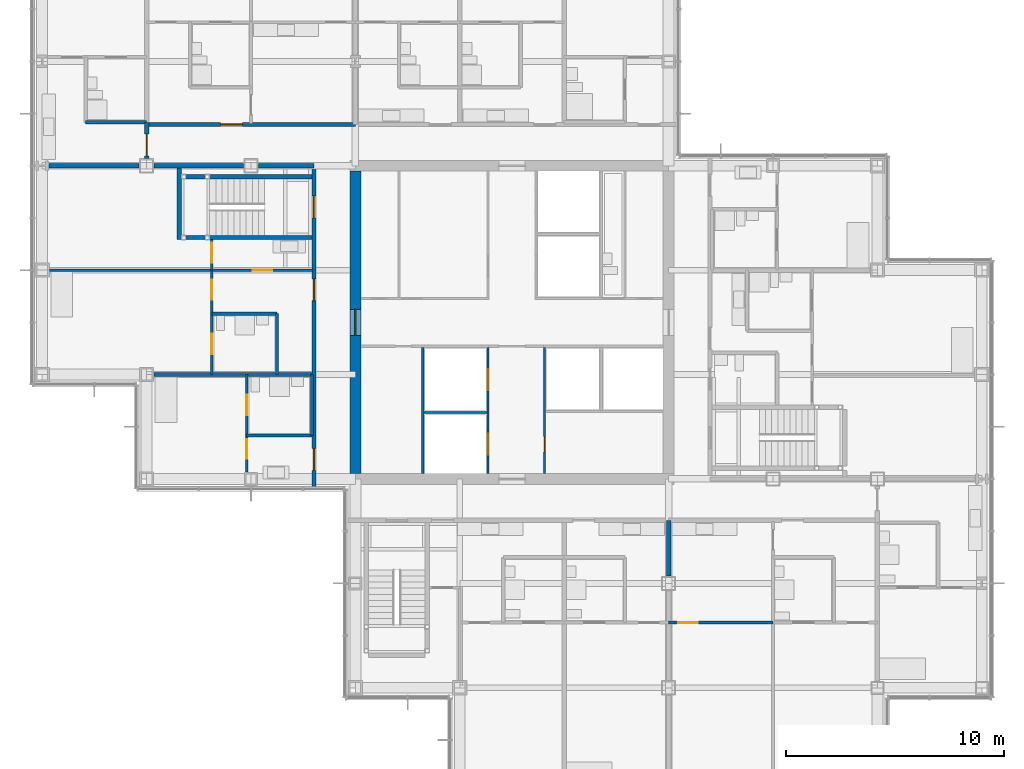
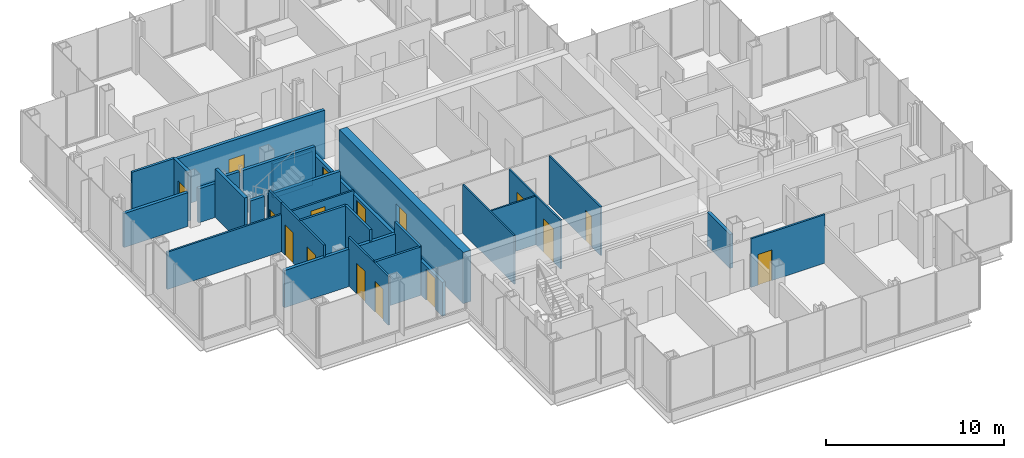
# One storey, part 13 of 19: 29 walls, 16 doors, 16 openings.
"""IFC4 building model written with IfcOpenShell, lengths in metres."""

from ifc_helpers import new_model, si_unit, direction, frame, frame_2d, origin, place, context, subcontext, project, spatial, rectangle, extrude, material, layer, layer_set, type_object, element, fill, save


model = new_model("IFC4")

# Units and contexts
model_context = context("Model", 3, precision=1e-05, world=origin(), true_north=direction((0.0, 1.0)))
body_context = subcontext(model_context, "Body", "Model", "MODEL_VIEW")
ifc_project = project(units=[si_unit("LENGTHUNIT", "METRE"), si_unit("AREAUNIT", "SQUARE_METRE"), si_unit("VOLUMEUNIT", "CUBIC_METRE"), si_unit("PLANEANGLEUNIT", "RADIAN"), si_unit("MASSUNIT", "GRAM", prefix="KILO")], contexts=[model_context])

# Site, building, storey
site_placement = place(None, origin())
site = spatial("IfcSite", under=ifc_project, at=site_placement, CompositionType="ELEMENT")
building_placement = place(site_placement, origin())
building = spatial("IfcBuilding", under=site, at=building_placement, Name="Kvirike Care Tower", CompositionType="ELEMENT")
storey_placement = place(building_placement, frame((0.0, 0.0, 98.0)))
storey = spatial("IfcBuildingStorey", under=building, at=storey_placement, Name="L26", CompositionType="ELEMENT", Elevation=98.0)

# Walls
ifc_material_1 = material(Name="Moisture-resistant board partition", Category="gypsum")
ifc_layer_1 = layer(ifc_material_1, 0.14990234375)
ifc_layer_set_1 = layer_set([ifc_layer_1], Name="BATHROOM WALL 150")
wall_type_1 = type_object("IfcWallType", Name="BATHROOM WALL 150", PredefinedType="PARTITIONING", material=ifc_layer_set_1)
wall_1_placement = place(storey_placement, frame((7.800048828125, 36.39990234375, 0.0), z_axis=(0.0, 0.0, 1.0), x_axis=(1.0, 0.0, 0.0)))
element("IfcWall", 1, at=wall_1_placement, inside=storey, type_object=wall_type_1, Name="Bathroom Wall 150 L26", PredefinedType="PARTITIONING", context=body_context, shape_type="SweptSolid", body=[
    extrude(rectangle(XDim=3.0, YDim=0.14990234375, at=frame_2d((1.5, 0.0))), origin(), (0.0, 0.0, 1.0), 3.330078125),
])
wall_2_placement = place(storey_placement, frame((10.800048828125, 36.39990234375, 0.0), z_axis=(0.0, 0.0, 1.0), x_axis=(0.0, -1.0, 0.0)))
element("IfcWall", 2, at=wall_2_placement, inside=storey, type_object=wall_type_1, Name="Bathroom Wall 150 L26", PredefinedType="PARTITIONING", context=body_context, shape_type="SweptSolid", body=[
    extrude(rectangle(XDim=2.7998046875, YDim=0.14990234375, at=frame_2d((1.39990234375, 0.0))), origin(), (0.0, 0.0, 1.0), 3.330078125),
])
wall_3_placement = place(storey_placement, frame((9.39990234375, 30.800048828125, 0.0), z_axis=(0.0, 0.0, 1.0), x_axis=(1.0, 0.0, 0.0)))
element("IfcWall", 3, at=wall_3_placement, inside=storey, type_object=wall_type_1, Name="Bathroom Wall 150 L26", PredefinedType="PARTITIONING", context=body_context, shape_type="SweptSolid", body=[
    extrude(rectangle(XDim=3.0, YDim=0.14990234375, at=frame_2d((1.5, 0.0))), origin(), (0.0, 0.0, 1.0), 3.330078125),
])
for number, where, z_axis, x_axis, name in (
    (4, (12.39990234375, 33.60009765625, 0.0), (0.0, 0.0, 1.0), (0.0, -1.0, 0.0), "Bathroom Wall 150 L26"),
    (5, (4.800048828125, 45.199951171875, 0.0), (0.0, 0.0, 1.0), (-1.0, 0.0, 0.0), "Bathroom Wall 150 L26"),
):
    element("IfcWall", number, at=place(storey_placement, frame(where, z_axis=z_axis, x_axis=x_axis)), inside=storey, type_object=wall_type_1, Name=name, PredefinedType="PARTITIONING", context=body_context, shape_type="SweptSolid", body=[
        extrude(rectangle(XDim=2.800048828125, YDim=0.14990234375, at=frame_2d((1.39990234375, 0.0))), origin(), (0.0, 0.0, 1.0), 3.330078125),
    ])

# Wall, opening, door
ifc_material_2 = material(Name="Concrete C50/60", Category="concrete")
ifc_layer_2 = layer(ifc_material_2, 0.5)
ifc_layer_set_2 = layer_set([ifc_layer_2], Name="CORE WALL 500 C50-60")
wall_type_2 = type_object("IfcWallType", Name="CORE WALL 500 C50-60", PredefinedType="SHEAR", material=ifc_layer_set_2)
wall_4_placement = place(storey_placement, frame((14.39990234375, 42.949951171875, -0.169921875), z_axis=(0.0, 0.0, 1.0), x_axis=(0.0, -1.0, 0.0)))
wall_4 = element("IfcWall", 6, at=wall_4_placement, inside=storey, type_object=wall_type_2, Name="Core wall W L26", PredefinedType="SHEAR", context=body_context, shape_type="SweptSolid", body=[
    extrude(rectangle(XDim=13.89990234375, YDim=0.5, at=frame_2d((6.949951171875, 0.0))), origin(), (0.0, 0.0, 1.0), 3.5),
])
opening_1_placement = place(wall_4_placement, frame((6.35009765625, 0.0, 0.169921875)))
opening_1 = element("IfcOpeningElement", 7, at=opening_1_placement, cuts=wall_4, Name="Opening 26-065", PredefinedType="OPENING", context=body_context, shape_type="SweptSolid", body=[
    extrude(rectangle(XDim=1.199951171875, YDim=2.10009765625, at=frame_2d((0.60009765625, 1.050048828125))), frame((0.0, 0.260498046875, 0.0), z_axis=(0.0, -1.0, 0.0), x_axis=(1.0, 0.0, 0.0)), (0.0, 0.0, 1.0), 0.52099609375),
])
ifc_material_3 = material(Name="Timber door set", Category="wood")
door_type_1 = type_object("IfcDoorType", Name="CORE DOOR 1200", OperationType="SINGLE_SWING_LEFT", PredefinedType="DOOR", material=ifc_material_3)
door_1_placement = place(opening_1_placement, origin())
door_1 = element("IfcDoor", 8, at=door_1_placement, inside=storey, type_object=door_type_1, Name="Core door W L26", OperationType="SINGLE_SWING_LEFT", OverallHeight=2.10009765625, OverallWidth=1.199951171875, PredefinedType="DOOR", context=body_context, shape_type="SweptSolid", body=[
    extrude(rectangle(XDim=1.199951171875, YDim=2.10009765625, at=frame_2d((0.60009765625, 1.050048828125))), frame((0.0, 0.02685546875, 0.0), z_axis=(0.0, -1.0, 0.0), x_axis=(1.0, 0.0, 0.0)), (0.0, 0.0, 1.0), 0.053955078125),
])
fill(opening_1, door_1)

# Wall, openings, doors
ifc_material_4 = material(Name="Plasterboard corridor wall", Category="gypsum")
ifc_layer_3 = layer(ifc_material_4, 0.199951171875)
ifc_layer_set_3 = layer_set([ifc_layer_3], Name="CORRIDOR WALL 200")
wall_type_3 = type_object("IfcWallType", Name="CORRIDOR WALL 200", PredefinedType="PARTITIONING", material=ifc_layer_set_3)
wall_5_placement = place(storey_placement, frame((12.5, 43.199951171875, 0.0), z_axis=(0.0, 0.0, 1.0), x_axis=(0.0, -1.0, 0.0)))
wall_5 = element("IfcWall", 9, at=wall_5_placement, inside=storey, type_object=wall_type_3, Name="Corridor Wall 200 L26", PredefinedType="PARTITIONING", context=body_context, shape_type="SweptSolid", body=[
    extrude(rectangle(XDim=14.83984375, YDim=0.199951171875, at=frame_2d((7.419921875, 0.0))), origin(), (0.0, 0.0, 1.0), 2.320068359375),
])
opening_2_placement = place(wall_5_placement, frame((1.39990234375, 0.0, 0.0)))
opening_2 = element("IfcOpeningElement", 10, at=opening_2_placement, cuts=wall_5, Name="Opening 26-007", PredefinedType="OPENING", context=body_context, shape_type="SweptSolid", body=[
    extrude(rectangle(XDim=1.0, YDim=2.10009765625, at=frame_2d((0.5, 1.050048828125))), frame((0.0, 0.110595703125, 0.0), z_axis=(0.0, -1.0, 0.0), x_axis=(1.0, 0.0, 0.0)), (0.0, 0.0, 1.0), 0.220947265625),
])
opening_3_placement = place(wall_5_placement, frame((5.199951171875, 0.0, 0.0)))
opening_3 = element("IfcOpeningElement", 11, at=opening_3_placement, cuts=wall_5, Name="Opening 26-008", PredefinedType="OPENING", context=body_context, shape_type="SweptSolid", body=[
    extrude(rectangle(XDim=1.0, YDim=2.10009765625, at=frame_2d((0.5, 1.050048828125))), frame((0.0, 0.110595703125, 0.0), z_axis=(0.0, -1.0, 0.0), x_axis=(1.0, 0.0, 0.0)), (0.0, 0.0, 1.0), 0.220947265625),
])
opening_4_placement = place(wall_5_placement, frame((13.0, 0.0, 0.0)))
opening_4 = element("IfcOpeningElement", 12, at=opening_4_placement, cuts=wall_5, Name="Opening 26-009", PredefinedType="OPENING", context=body_context, shape_type="SweptSolid", body=[
    extrude(rectangle(XDim=1.0, YDim=2.10009765625, at=frame_2d((0.5, 1.050048828125))), frame((0.0, 0.110595703125, 0.0), z_axis=(0.0, -1.0, 0.0), x_axis=(1.0, 0.0, 0.0)), (0.0, 0.0, 1.0), 0.220947265625),
])
ifc_material_5 = material(Name="Timber door set", Category="wood")
door_type_2 = type_object("IfcDoorType", Name="FLAT ENTRANCE DOOR 1000", OperationType="SINGLE_SWING_LEFT", PredefinedType="DOOR", material=ifc_material_5)
door_2_placement = place(opening_3_placement, frame((1.0, 0.0, 0.0), z_axis=(0.0, 0.0, 1.0), x_axis=(-1.0, 0.0, 0.0)))
door_2 = element("IfcDoor", 13, at=door_2_placement, inside=storey, type_object=door_type_2, Name="Assisted living suite entrance", OperationType="SINGLE_SWING_LEFT", OverallHeight=2.10009765625, OverallWidth=1.0, PredefinedType="DOOR", context=body_context, shape_type="SweptSolid", body=[
    extrude(rectangle(XDim=1.0, YDim=2.10009765625, at=frame_2d((0.5, 1.050048828125))), frame((0.0, 0.02685546875, 0.0), z_axis=(0.0, -1.0, 0.0), x_axis=(1.0, 0.0, 0.0)), (0.0, 0.0, 1.0), 0.053955078125),
])
fill(opening_3, door_2)
door_3_placement = place(opening_4_placement, frame((1.0, 0.0, 0.0), z_axis=(0.0, 0.0, 1.0), x_axis=(-1.0, 0.0, 0.0)))
door_3 = element("IfcDoor", 14, at=door_3_placement, inside=storey, type_object=door_type_2, Name="Assisted living suite entrance", OperationType="SINGLE_SWING_RIGHT", OverallHeight=2.10009765625, OverallWidth=1.0, PredefinedType="DOOR", context=body_context, shape_type="SweptSolid", body=[
    extrude(rectangle(XDim=1.0, YDim=2.10009765625, at=frame_2d((0.5, 1.050048828125))), frame((0.0, 0.02685546875, 0.0), z_axis=(0.0, -1.0, 0.0), x_axis=(1.0, 0.0, 0.0)), (0.0, 0.0, 1.0), 0.053955078125),
])
fill(opening_4, door_3)
ifc_material_6 = material(Name="Timber door set", Category="wood")
door_type_3 = type_object("IfcDoorType", Name="STAIR DOOR 1000", OperationType="SINGLE_SWING_LEFT", PredefinedType="DOOR", material=ifc_material_6)
door_4_placement = place(opening_2_placement, frame((1.0, 0.0, 0.0), z_axis=(0.0, 0.0, 1.0), x_axis=(-1.0, 0.0, 0.0)))
door_4 = element("IfcDoor", 15, at=door_4_placement, inside=storey, type_object=door_type_3, Name="Stair 1 door", OperationType="SINGLE_SWING_LEFT", OverallHeight=2.10009765625, OverallWidth=1.0, PredefinedType="DOOR", context=body_context, shape_type="SweptSolid", body=[
    extrude(rectangle(XDim=1.0, YDim=2.10009765625, at=frame_2d((0.5, 1.050048828125))), frame((0.0, 0.031982421875, 0.0), z_axis=(0.0, -1.0, 0.0), x_axis=(1.0, 0.0, 0.0)), (0.0, 0.0, 1.0), 0.06396484375),
])
fill(opening_2, door_4)

# Wall, opening, door
wall_6_placement = place(storey_placement, frame((14.39990234375, 45.10009765625, 0.0), z_axis=(0.0, 0.0, 1.0), x_axis=(-1.0, 0.0, 0.0)))
wall_6 = element("IfcWall", 16, at=wall_6_placement, inside=storey, type_object=wall_type_3, Name="Corridor Wall 200 L26", PredefinedType="PARTITIONING", context=body_context, shape_type="SweptSolid", body=[
    extrude(rectangle(XDim=9.599853515625, YDim=0.199951171875, at=frame_2d((4.7998046875, 0.0))), origin(), (0.0, 0.0, 1.0), 3.330078125),
])
opening_5_placement = place(wall_6_placement, frame((5.199951171875, 0.0, 0.0)))
opening_5 = element("IfcOpeningElement", 17, at=opening_5_placement, cuts=wall_6, Name="Opening 26-016", PredefinedType="OPENING", context=body_context, shape_type="SweptSolid", body=[
    extrude(rectangle(XDim=1.0, YDim=2.10009765625, at=frame_2d((0.5, 1.050048828125))), frame((0.0, 0.110595703125, 0.0), z_axis=(0.0, -1.0, 0.0), x_axis=(1.0, 0.0, 0.0)), (0.0, 0.0, 1.0), 0.220947265625),
])
door_5_placement = place(opening_5_placement, frame((1.0, 0.0, 0.0), z_axis=(0.0, 0.0, 1.0), x_axis=(-1.0, 0.0, 0.0)))
door_5 = element("IfcDoor", 18, at=door_5_placement, inside=storey, type_object=door_type_2, Name="Accessible assisted living suite entrance", OperationType="SINGLE_SWING_LEFT", OverallHeight=2.10009765625, OverallWidth=1.0, PredefinedType="DOOR", context=body_context, shape_type="SweptSolid", body=[
    extrude(rectangle(XDim=1.0, YDim=2.10009765625, at=frame_2d((0.5, 1.050048828125))), frame((0.0, 0.02685546875, 0.0), z_axis=(0.0, -1.0, 0.0), x_axis=(1.0, 0.0, 0.0)), (0.0, 0.0, 1.0), 0.053955078125),
])
fill(opening_5, door_5)

wall_7_placement = place(storey_placement, frame((4.800048828125, 45.199951171875, 0.0), z_axis=(0.0, 0.0, 1.0), x_axis=(0.0, -1.0, 0.0)))
wall_7 = element("IfcWall", 19, at=wall_7_placement, inside=storey, type_object=wall_type_3, Name="Corridor Wall 200 L26", PredefinedType="PARTITIONING", context=body_context, shape_type="SweptSolid", body=[
    extrude(rectangle(XDim=1.655029296875, YDim=0.199951171875, at=frame_2d((0.82763671875, 0.0))), origin(), (0.0, 0.0, 1.0), 3.330078125),
])
opening_6_placement = place(wall_7_placement, frame((0.550048828125, 0.0, 0.0)))
opening_6 = element("IfcOpeningElement", 20, at=opening_6_placement, cuts=wall_7, Name="Opening 26-017", PredefinedType="OPENING", context=body_context, shape_type="SweptSolid", body=[
    extrude(rectangle(XDim=1.0, YDim=2.10009765625, at=frame_2d((0.5, 1.050048828125))), frame((0.0, 0.110595703125, 0.0), z_axis=(0.0, -1.0, 0.0), x_axis=(1.0, 0.0, 0.0)), (0.0, 0.0, 1.0), 0.220947265625),
])
door_6_placement = place(opening_6_placement, frame((1.0, 0.0, 0.0), z_axis=(0.0, 0.0, 1.0), x_axis=(-1.0, 0.0, 0.0)))
door_6 = element("IfcDoor", 21, at=door_6_placement, inside=storey, type_object=door_type_2, Name="Assisted living suite entrance", OperationType="SINGLE_SWING_RIGHT", OverallHeight=2.10009765625, OverallWidth=1.0, PredefinedType="DOOR", context=body_context, shape_type="SweptSolid", body=[
    extrude(rectangle(XDim=1.0, YDim=2.10009765625, at=frame_2d((0.5, 1.050048828125))), frame((0.0, 0.02685546875, 0.0), z_axis=(0.0, -1.0, 0.0), x_axis=(1.0, 0.0, 0.0)), (0.0, 0.0, 1.0), 0.053955078125),
])
fill(opening_6, door_6)

ifc_material_7 = material(Name="Plasterboard partition", Category="gypsum")
ifc_layer_4 = layer(ifc_material_7, 0.1201171875)
ifc_layer_set_4 = layer_set([ifc_layer_4], Name="PARTITION 120")
wall_type_4 = type_object("IfcWallType", Name="PARTITION 120", PredefinedType="PARTITIONING", material=ifc_layer_set_4)
wall_8_placement = place(storey_placement, frame((7.800048828125, 38.39990234375, 0.0), z_axis=(0.0, 0.0, 1.0), x_axis=(1.0, 0.0, 0.0)))
wall_8 = element("IfcWall", 22, at=wall_8_placement, inside=storey, type_object=wall_type_4, Name="Partition 120 L26", PredefinedType="PARTITIONING", context=body_context, shape_type="SweptSolid", body=[
    extrude(rectangle(XDim=4.64990234375, YDim=0.1201171875, at=frame_2d((2.324951171875, 0.0))), origin(), (0.0, 0.0, 1.0), 2.550048828125),
])
opening_7_placement = place(wall_8_placement, frame((1.875, 0.0, 0.0)))
opening_7 = element("IfcOpeningElement", 23, at=opening_7_placement, cuts=wall_8, Name="Opening 26-001", PredefinedType="OPENING", context=body_context, shape_type="SweptSolid", body=[
    extrude(rectangle(XDim=0.89990234375, YDim=2.10009765625, at=frame_2d((0.449951171875, 1.050048828125))), frame((0.0, 0.070556640625, 0.0), z_axis=(0.0, -1.0, 0.0), x_axis=(1.0, 0.0, 0.0)), (0.0, 0.0, 1.0), 0.14111328125),
])
ifc_material_8 = material(Name="Timber door set", Category="wood")
door_type_4 = type_object("IfcDoorType", Name="INTERNAL DOOR 900", OperationType="SINGLE_SWING_LEFT", PredefinedType="DOOR", material=ifc_material_8)
door_7_placement = place(opening_7_placement, origin())
door_7 = element("IfcDoor", 24, at=door_7_placement, inside=storey, type_object=door_type_4, Name="Hall door", OperationType="SINGLE_SWING_RIGHT", OverallHeight=2.10009765625, OverallWidth=0.89990234375, PredefinedType="DOOR", context=body_context, shape_type="SweptSolid", body=[
    extrude(rectangle(XDim=0.89990234375, YDim=2.10009765625, at=frame_2d((0.449951171875, 1.050048828125))), frame((0.0, 0.02197265625, 0.0), z_axis=(0.0, -1.0, 0.0), x_axis=(1.0, 0.0, 0.0)), (0.0, 0.0, 1.0), 0.0439453125),
])
fill(opening_7, door_7)

wall_9_placement = place(storey_placement, frame((7.800048828125, 39.800048828125, 0.0), z_axis=(0.0, 0.0, 1.0), x_axis=(0.0, -1.0, 0.0)))
wall_9 = element("IfcWall", 25, at=wall_9_placement, inside=storey, type_object=wall_type_4, Name="Partition 120 L26", PredefinedType="PARTITIONING", context=body_context, shape_type="SweptSolid", body=[
    extrude(rectangle(XDim=1.400146484375, YDim=0.1201171875, at=frame_2d((0.7001953125, 0.0))), origin(), (0.0, 0.0, 1.0), 3.330078125),
])
opening_8_placement = place(wall_9_placement, frame((0.14990234375, 0.0, 0.0)))
opening_8 = element("IfcOpeningElement", 26, at=opening_8_placement, cuts=wall_9, Name="Opening 26-002", PredefinedType="OPENING", context=body_context, shape_type="SweptSolid", body=[
    extrude(rectangle(XDim=0.89990234375, YDim=2.10009765625, at=frame_2d((0.449951171875, 1.050048828125))), frame((0.0, 0.070556640625, 0.0), z_axis=(0.0, -1.0, 0.0), x_axis=(1.0, 0.0, 0.0)), (0.0, 0.0, 1.0), 0.14111328125),
])
door_8_placement = place(opening_8_placement, origin())
door_8 = element("IfcDoor", 27, at=door_8_placement, inside=storey, type_object=door_type_4, Name="Suite sitting room door", OperationType="SINGLE_SWING_RIGHT", OverallHeight=2.10009765625, OverallWidth=0.89990234375, PredefinedType="DOOR", context=body_context, shape_type="SweptSolid", body=[
    extrude(rectangle(XDim=0.89990234375, YDim=2.10009765625, at=frame_2d((0.449951171875, 1.050048828125))), frame((0.0, 0.02197265625, 0.0), z_axis=(0.0, -1.0, 0.0), x_axis=(1.0, 0.0, 0.0)), (0.0, 0.0, 1.0), 0.0439453125),
])
fill(opening_8, door_8)

# Wall, openings, doors
wall_10_placement = place(storey_placement, frame((7.800048828125, 38.39990234375, 0.0), z_axis=(0.0, 0.0, 1.0), x_axis=(0.0, -1.0, 0.0)))
wall_10 = element("IfcWall", 28, at=wall_10_placement, inside=storey, type_object=wall_type_4, Name="Partition 120 L26", PredefinedType="PARTITIONING", context=body_context, shape_type="SweptSolid", body=[
    extrude(rectangle(XDim=4.7998046875, YDim=0.1201171875, at=frame_2d((2.39990234375, 0.0))), origin(), (0.0, 0.0, 1.0), 3.330078125),
])
opening_9_placement = place(wall_10_placement, frame((0.449951171875, 0.0, 0.0)))
opening_9 = element("IfcOpeningElement", 29, at=opening_9_placement, cuts=wall_10, Name="Opening 26-003", PredefinedType="OPENING", context=body_context, shape_type="SweptSolid", body=[
    extrude(rectangle(XDim=0.89990234375, YDim=2.10009765625, at=frame_2d((0.449951171875, 1.050048828125))), frame((0.0, 0.070556640625, 0.0), z_axis=(0.0, -1.0, 0.0), x_axis=(1.0, 0.0, 0.0)), (0.0, 0.0, 1.0), 0.14111328125),
])
opening_10_placement = place(wall_10_placement, frame((2.925048828125, 0.0, 0.0)))
opening_10 = element("IfcOpeningElement", 30, at=opening_10_placement, cuts=wall_10, Name="Opening 26-004", PredefinedType="OPENING", context=body_context, shape_type="SweptSolid", body=[
    extrude(rectangle(XDim=0.949951171875, YDim=2.10009765625, at=frame_2d((0.47509765625, 1.050048828125))), frame((0.0, 0.070556640625, 0.0), z_axis=(0.0, -1.0, 0.0), x_axis=(1.0, 0.0, 0.0)), (0.0, 0.0, 1.0), 0.14111328125),
])
ifc_material_9 = material(Name="Timber door set", Category="wood")
door_type_5 = type_object("IfcDoorType", Name="EN-SUITE SLIDING DOOR 950", OperationType="SLIDING_TO_LEFT", PredefinedType="DOOR", material=ifc_material_9)
door_9_placement = place(opening_10_placement, origin())
door_9 = element("IfcDoor", 31, at=door_9_placement, inside=storey, type_object=door_type_5, Name="En-suite door", OperationType="SLIDING_TO_RIGHT", OverallHeight=2.10009765625, OverallWidth=0.949951171875, PredefinedType="DOOR", context=body_context, shape_type="SweptSolid", body=[
    extrude(rectangle(XDim=0.949951171875, YDim=2.10009765625, at=frame_2d((0.47509765625, 1.050048828125))), frame((0.0, 0.02197265625, 0.0), z_axis=(0.0, -1.0, 0.0), x_axis=(1.0, 0.0, 0.0)), (0.0, 0.0, 1.0), 0.0439453125),
])
fill(opening_10, door_9)
door_10_placement = place(opening_9_placement, origin())
door_10 = element("IfcDoor", 32, at=door_10_placement, inside=storey, type_object=door_type_4, Name="Assisted living suite door", OperationType="SINGLE_SWING_RIGHT", OverallHeight=2.10009765625, OverallWidth=0.89990234375, PredefinedType="DOOR", context=body_context, shape_type="SweptSolid", body=[
    extrude(rectangle(XDim=0.89990234375, YDim=2.10009765625, at=frame_2d((0.449951171875, 1.050048828125))), frame((0.0, 0.02197265625, 0.0), z_axis=(0.0, -1.0, 0.0), x_axis=(1.0, 0.0, 0.0)), (0.0, 0.0, 1.0), 0.0439453125),
])
fill(opening_9, door_10)

# Wall
wall_11_placement = place(storey_placement, frame((0.344970703125, 38.39990234375, 0.0), z_axis=(0.0, 0.0, 1.0), x_axis=(1.0, 0.0, 0.0)))
element("IfcWall", 33, at=wall_11_placement, inside=storey, type_object=wall_type_4, Name="Partition 120 L26", PredefinedType="PARTITIONING", context=body_context, shape_type="SweptSolid", body=[
    extrude(rectangle(XDim=7.455078125, YDim=0.1201171875, at=frame_2d((3.7275390625, 0.0))), origin(), (0.0, 0.0, 1.0), 2.550048828125),
])

# Wall, openings, doors
wall_12_placement = place(storey_placement, frame((9.39990234375, 33.60009765625, 0.0), z_axis=(0.0, 0.0, 1.0), x_axis=(0.0, -1.0, 0.0)))
wall_12 = element("IfcWall", 34, at=wall_12_placement, inside=storey, type_object=wall_type_4, Name="Partition 120 L26", PredefinedType="PARTITIONING", context=body_context, shape_type="SweptSolid", body=[
    extrude(rectangle(XDim=4.47998046875, YDim=0.1201171875, at=frame_2d((2.239990234375, 0.0))), origin(), (0.0, 0.0, 1.0), 3.330078125),
])
opening_11_placement = place(wall_12_placement, frame((2.97509765625, 0.0, 0.0)))
opening_11 = element("IfcOpeningElement", 35, at=opening_11_placement, cuts=wall_12, Name="Opening 26-005", PredefinedType="OPENING", context=body_context, shape_type="SweptSolid", body=[
    extrude(rectangle(XDim=0.89990234375, YDim=2.10009765625, at=frame_2d((0.449951171875, 1.050048828125))), frame((0.0, 0.070556640625, 0.0), z_axis=(0.0, -1.0, 0.0), x_axis=(1.0, 0.0, 0.0)), (0.0, 0.0, 1.0), 0.14111328125),
])
opening_12_placement = place(wall_12_placement, frame((0.925048828125, 0.0, 0.0)))
opening_12 = element("IfcOpeningElement", 36, at=opening_12_placement, cuts=wall_12, Name="Opening 26-006", PredefinedType="OPENING", context=body_context, shape_type="SweptSolid", body=[
    extrude(rectangle(XDim=0.949951171875, YDim=2.10009765625, at=frame_2d((0.47509765625, 1.050048828125))), frame((0.0, 0.070556640625, 0.0), z_axis=(0.0, -1.0, 0.0), x_axis=(1.0, 0.0, 0.0)), (0.0, 0.0, 1.0), 0.14111328125),
])
door_11_placement = place(opening_12_placement, origin())
door_11 = element("IfcDoor", 37, at=door_11_placement, inside=storey, type_object=door_type_5, Name="En-suite door", OperationType="SLIDING_TO_LEFT", OverallHeight=2.10009765625, OverallWidth=0.949951171875, PredefinedType="DOOR", context=body_context, shape_type="SweptSolid", body=[
    extrude(rectangle(XDim=0.949951171875, YDim=2.10009765625, at=frame_2d((0.47509765625, 1.050048828125))), frame((0.0, 0.02197265625, 0.0), z_axis=(0.0, -1.0, 0.0), x_axis=(1.0, 0.0, 0.0)), (0.0, 0.0, 1.0), 0.0439453125),
])
fill(opening_12, door_11)
door_12_placement = place(opening_11_placement, origin())
door_12 = element("IfcDoor", 38, at=door_12_placement, inside=storey, type_object=door_type_4, Name="Assisted living suite door", OperationType="SINGLE_SWING_RIGHT", OverallHeight=2.10009765625, OverallWidth=0.89990234375, PredefinedType="DOOR", context=body_context, shape_type="SweptSolid", body=[
    extrude(rectangle(XDim=0.89990234375, YDim=2.10009765625, at=frame_2d((0.449951171875, 1.050048828125))), frame((0.0, 0.02197265625, 0.0), z_axis=(0.0, -1.0, 0.0), x_axis=(1.0, 0.0, 0.0)), (0.0, 0.0, 1.0), 0.0439453125),
])
fill(opening_11, door_12)

# Wall, opening, door
wall_13_placement = place(storey_placement, frame((28.800048828125, 22.199951171875, 0.0), z_axis=(0.0, 0.0, 1.0), x_axis=(1.0, 0.0, 0.0)))
wall_13 = element("IfcWall", 39, at=wall_13_placement, inside=storey, type_object=wall_type_4, Name="Partition 120 L26", PredefinedType="PARTITIONING", context=body_context, shape_type="SweptSolid", body=[
    extrude(rectangle(XDim=4.800048828125, YDim=0.1201171875, at=frame_2d((2.39990234375, 0.0))), origin(), (0.0, 0.0, 1.0), 3.330078125),
])
opening_13_placement = place(wall_13_placement, frame((0.449951171875, 0.0, 0.0)))
opening_13 = element("IfcOpeningElement", 40, at=opening_13_placement, cuts=wall_13, Name="Opening 26-036", PredefinedType="OPENING", context=body_context, shape_type="SweptSolid", body=[
    extrude(rectangle(XDim=0.89990234375, YDim=2.10009765625, at=frame_2d((0.449951171875, 1.050048828125))), frame((0.0, 0.070556640625, 0.0), z_axis=(0.0, -1.0, 0.0), x_axis=(1.0, 0.0, 0.0)), (0.0, 0.0, 1.0), 0.14111328125),
])
door_13_placement = place(opening_13_placement, origin())
door_13 = element("IfcDoor", 41, at=door_13_placement, inside=storey, type_object=door_type_4, Name="Suite sitting room door", OperationType="SINGLE_SWING_RIGHT", OverallHeight=2.10009765625, OverallWidth=0.89990234375, PredefinedType="DOOR", context=body_context, shape_type="SweptSolid", body=[
    extrude(rectangle(XDim=0.89990234375, YDim=2.10009765625, at=frame_2d((0.449951171875, 1.050048828125))), frame((0.0, 0.02197265625, 0.0), z_axis=(0.0, -1.0, 0.0), x_axis=(1.0, 0.0, 0.0)), (0.0, 0.0, 1.0), 0.0439453125),
])
fill(opening_13, door_13)

# Walls
ifc_material_10 = material(Name="Plasterboard party wall", Category="gypsum")
ifc_layer_5 = layer(ifc_material_10, 0.199951171875)
ifc_layer_set_5 = layer_set([ifc_layer_5], Name="PARTY WALL 200")
wall_type_5 = type_object("IfcWallType", Name="PARTY WALL 200", PredefinedType="PARTITIONING", material=ifc_layer_set_5)
wall_14_placement = place(storey_placement, frame((5.14501953125, 33.60009765625, 0.0), z_axis=(0.0, 0.0, 1.0), x_axis=(1.0, 0.0, 0.0)))
element("IfcWall", 42, at=wall_14_placement, inside=storey, type_object=wall_type_5, Name="Party Wall 200 L26", PredefinedType="PARTITIONING", context=body_context, shape_type="SweptSolid", body=[
    extrude(rectangle(XDim=7.2548828125, YDim=0.199951171875, at=frame_2d((3.62744140625, 0.0))), origin(), (0.0, 0.0, 1.0), 2.550048828125),
])
wall_15_placement = place(storey_placement, frame((12.5, 43.199951171875, 0.0), z_axis=(0.0, 0.0, 1.0), x_axis=(-1.0, 0.0, 0.0)))
element("IfcWall", 43, at=wall_15_placement, inside=storey, type_object=wall_type_5, Name="Party Wall 200 L26", PredefinedType="PARTITIONING", context=body_context, shape_type="SweptSolid", body=[
    extrude(rectangle(XDim=2.554931640625, YDim=0.199951171875, at=frame_2d((1.27734375, 0.0))), origin(), (0.0, 0.0, 1.0), 2.320068359375),
])
wall_16_placement = place(storey_placement, frame((9.2548828125, 43.199951171875, 0.0), z_axis=(0.0, 0.0, 1.0), x_axis=(-1.0, 0.0, 0.0)))
element("IfcWall", 44, at=wall_16_placement, inside=storey, type_object=wall_type_5, Name="Party Wall 200 L26", PredefinedType="PARTITIONING", context=body_context, shape_type="SweptSolid", body=[
    extrude(rectangle(XDim=4.10986328125, YDim=0.199951171875, at=frame_2d((2.054931640625, 0.0))), origin(), (0.0, 0.0, 1.0), 2.320068359375),
])
wall_17_placement = place(storey_placement, frame((4.455078125, 43.199951171875, 0.0), z_axis=(0.0, 0.0, 1.0), x_axis=(-1.0, 0.0, 0.0)))
element("IfcWall", 45, at=wall_17_placement, inside=storey, type_object=wall_type_5, Name="Party Wall 200 L26", PredefinedType="PARTITIONING", context=body_context, shape_type="SweptSolid", body=[
    extrude(rectangle(XDim=4.150634765625, YDim=0.199951171875, at=frame_2d((2.0751953125, 0.0))), origin(), (0.0, 0.0, 1.0), 2.320068359375),
])
wall_18_placement = place(storey_placement, frame((28.800048828125, 24.344970703125, 0.0), z_axis=(0.0, 0.0, 1.0), x_axis=(0.0, 1.0, 0.0)))
element("IfcWall", 46, at=wall_18_placement, inside=storey, type_object=wall_type_5, Name="Party Wall 200 L26", PredefinedType="PARTITIONING", context=body_context, shape_type="SweptSolid", body=[
    extrude(rectangle(XDim=2.554931640625, YDim=0.199951171875, at=frame_2d((1.27734375, 0.0))), origin(), (0.0, 0.0, 1.0), 2.320068359375),
])

# Wall, openings, doors
ifc_material_11 = material(Name="Gypsum shaft wall system", Category="gypsum")
ifc_layer_6 = layer(ifc_material_11, 0.10009765625)
ifc_layer_set_6 = layer_set([ifc_layer_6], Name="SHAFT WALL 100")
wall_type_6 = type_object("IfcWallType", Name="SHAFT WALL 100", PredefinedType="SOLIDWALL", material=ifc_layer_set_6)
wall_19_placement = place(storey_placement, frame((20.5, 29.050048828125, 0.0), z_axis=(0.0, 0.0, 1.0), x_axis=(0.0, 1.0, 0.0)))
wall_19 = element("IfcWall", 47, at=wall_19_placement, inside=storey, type_object=wall_type_6, Name="Shaft Wall 100 L26", PredefinedType="SOLIDWALL", context=body_context, shape_type="SweptSolid", body=[
    extrude(rectangle(XDim=5.800048828125, YDim=0.10009765625, at=frame_2d((2.89990234375, 0.0))), origin(), (0.0, 0.0, 1.0), 3.330078125),
])
opening_14_placement = place(wall_19_placement, frame((0.800048828125, 0.0, 0.0)))
opening_14 = element("IfcOpeningElement", 48, at=opening_14_placement, cuts=wall_19, Name="Opening 26-052", PredefinedType="OPENING", context=body_context, shape_type="SweptSolid", body=[
    extrude(rectangle(XDim=1.10009765625, YDim=2.300048828125, at=frame_2d((0.550048828125, 1.14990234375))), frame((0.0, 0.060546875, 0.0), z_axis=(0.0, -1.0, 0.0), x_axis=(1.0, 0.0, 0.0)), (0.0, 0.0, 1.0), 0.12109375),
])
opening_15_placement = place(wall_19_placement, frame((3.77490234375, 0.0, 0.0)))
opening_15 = element("IfcOpeningElement", 49, at=opening_15_placement, cuts=wall_19, Name="Opening 26-053", PredefinedType="OPENING", context=body_context, shape_type="SweptSolid", body=[
    extrude(rectangle(XDim=1.10009765625, YDim=2.300048828125, at=frame_2d((0.550048828125, 1.14990234375))), frame((0.0, 0.060546875, 0.0), z_axis=(0.0, -1.0, 0.0), x_axis=(1.0, 0.0, 0.0)), (0.0, 0.0, 1.0), 0.12109375),
])
ifc_material_12 = material(Name="Aluminium door frame", Category="aluminium")
door_type_6 = type_object("IfcDoorType", Name="FIRE-FIGHTING LIFT LANDING DOOR 1100", OperationType="SLIDING_TO_LEFT", PredefinedType="DOOR", material=ifc_material_12)
door_14_placement = place(opening_14_placement, origin())
door_14 = element("IfcDoor", 50, at=door_14_placement, inside=storey, type_object=door_type_6, Name="Lift FF1 landing door", OperationType="SLIDING_TO_LEFT", OverallHeight=2.300048828125, OverallWidth=1.10009765625, PredefinedType="DOOR", context=body_context, shape_type="SweptSolid", body=[
    extrude(rectangle(XDim=1.10009765625, YDim=2.300048828125, at=frame_2d((0.550048828125, 1.14990234375))), frame((0.0, 0.0498046875, 0.0), z_axis=(0.0, -1.0, 0.0), x_axis=(1.0, 0.0, 0.0)), (0.0, 0.0, 1.0), 0.099609375),
])
fill(opening_14, door_14)
door_15_placement = place(opening_15_placement, origin())
door_15 = element("IfcDoor", 51, at=door_15_placement, inside=storey, type_object=door_type_6, Name="Lift FF2 landing door", OperationType="SLIDING_TO_LEFT", OverallHeight=2.300048828125, OverallWidth=1.10009765625, PredefinedType="DOOR", context=body_context, shape_type="SweptSolid", body=[
    extrude(rectangle(XDim=1.10009765625, YDim=2.300048828125, at=frame_2d((0.550048828125, 1.14990234375))), frame((0.0, 0.0498046875, 0.0), z_axis=(0.0, -1.0, 0.0), x_axis=(1.0, 0.0, 0.0)), (0.0, 0.0, 1.0), 0.099609375),
])
fill(opening_15, door_15)

# Wall, opening, door
wall_20_placement = place(storey_placement, frame((23.10009765625, 29.050048828125, 0.0), z_axis=(0.0, 0.0, 1.0), x_axis=(0.0, 1.0, 0.0)))
wall_20 = element("IfcWall", 52, at=wall_20_placement, inside=storey, type_object=wall_type_6, Name="Shaft Wall 100 L26", PredefinedType="SOLIDWALL", context=body_context, shape_type="SweptSolid", body=[
    extrude(rectangle(XDim=5.800048828125, YDim=0.10009765625, at=frame_2d((2.89990234375, 0.0))), origin(), (0.0, 0.0, 1.0), 3.330078125),
])
opening_16_placement = place(wall_20_placement, frame((1.0, 0.0, 0.0)))
opening_16 = element("IfcOpeningElement", 53, at=opening_16_placement, cuts=wall_20, Name="Opening 26-057", PredefinedType="OPENING", context=body_context, shape_type="SweptSolid", body=[
    extrude(rectangle(XDim=0.699951171875, YDim=2.10009765625, at=frame_2d((0.35009765625, 1.050048828125))), frame((0.0, 0.060546875, 0.0), z_axis=(0.0, -1.0, 0.0), x_axis=(1.0, 0.0, 0.0)), (0.0, 0.0, 1.0), 0.12109375),
])
ifc_material_13 = material(Name="Timber door set", Category="wood")
door_type_7 = type_object("IfcDoorType", Name="RISER DOOR 700", OperationType="SINGLE_SWING_LEFT", PredefinedType="DOOR", material=ifc_material_13)
door_16_placement = place(opening_16_placement, origin())
door_16 = element("IfcDoor", 54, at=door_16_placement, inside=storey, type_object=door_type_7, Name="Riser door", OperationType="SINGLE_SWING_RIGHT", OverallHeight=2.10009765625, OverallWidth=0.699951171875, PredefinedType="DOOR", context=body_context, shape_type="SweptSolid", body=[
    extrude(rectangle(XDim=0.699951171875, YDim=2.10009765625, at=frame_2d((0.35009765625, 1.050048828125))), frame((0.0, 0.02685546875, 0.0), z_axis=(0.0, -1.0, 0.0), x_axis=(1.0, 0.0, 0.0)), (0.0, 0.0, 1.0), 0.053955078125),
])
fill(opening_16, door_16)

# Walls
wall_21_placement = place(storey_placement, frame((17.5, 29.050048828125, 0.0), z_axis=(0.0, 0.0, 1.0), x_axis=(0.0, 1.0, 0.0)))
element("IfcWall", 55, at=wall_21_placement, inside=storey, type_object=wall_type_6, Name="Shaft Wall 100 L26", PredefinedType="SOLIDWALL", context=body_context, shape_type="SweptSolid", body=[
    extrude(rectangle(XDim=5.800048828125, YDim=0.10009765625, at=frame_2d((2.89990234375, 0.0))), origin(), (0.0, 0.0, 1.0), 3.330078125),
])
wall_22_placement = place(storey_placement, frame((17.550048828125, 31.85009765625, 0.0), z_axis=(0.0, 0.0, 1.0), x_axis=(1.0, 0.0, 0.0)))
element("IfcWall", 56, at=wall_22_placement, inside=storey, type_object=wall_type_6, Name="Shaft Wall 100 L26", PredefinedType="SOLIDWALL", context=body_context, shape_type="SweptSolid", body=[
    extrude(rectangle(XDim=2.89990234375, YDim=0.10009765625, at=frame_2d((1.449951171875, 0.0))), origin(), (0.0, 0.0, 1.0), 3.330078125),
])
ifc_material_14 = material(Name="Concrete C40/50", Category="concrete")
ifc_layer_7 = layer(ifc_material_14, 0.199951171875)
ifc_layer_set_7 = layer_set([ifc_layer_7], Name="STAIR WALL 200")
wall_type_7 = type_object("IfcWallType", Name="STAIR WALL 200", PredefinedType="SOLIDWALL", material=ifc_layer_set_7)
wall_23_placement = place(storey_placement, frame((6.60009765625, 42.699951171875, 0.0), z_axis=(0.0, 0.0, 1.0), x_axis=(1.0, 0.0, 0.0)))
element("IfcWall", 57, at=wall_23_placement, inside=storey, type_object=wall_type_7, Name="Stair Wall 200 L26", PredefinedType="SOLIDWALL", context=body_context, shape_type="SweptSolid", body=[
    extrude(rectangle(XDim=0.89990234375, YDim=0.199951171875, at=frame_2d((0.449951171875, 0.0))), origin(), (0.0, 0.0, 1.0), 2.989990234375),
])
wall_24_placement = place(storey_placement, frame((7.699951171875, 42.699951171875, 0.0), z_axis=(0.0, 0.0, 1.0), x_axis=(1.0, 0.0, 0.0)))
element("IfcWall", 58, at=wall_24_placement, inside=storey, type_object=wall_type_7, Name="Stair Wall 200 L26", PredefinedType="SOLIDWALL", context=body_context, shape_type="SweptSolid", body=[
    extrude(rectangle(XDim=4.699951171875, YDim=0.199951171875, at=frame_2d((2.35009765625, 0.0))), origin(), (0.0, 0.0, 1.0), 2.989990234375),
])
wall_25_placement = place(storey_placement, frame((6.60009765625, 39.89990234375, 0.0), z_axis=(0.0, 0.0, 1.0), x_axis=(1.0, 0.0, 0.0)))
element("IfcWall", 59, at=wall_25_placement, inside=storey, type_object=wall_type_7, Name="Stair Wall 200 L26", PredefinedType="SOLIDWALL", context=body_context, shape_type="SweptSolid", body=[
    extrude(rectangle(XDim=0.89990234375, YDim=0.199951171875, at=frame_2d((0.449951171875, 0.0))), origin(), (0.0, 0.0, 1.0), 2.989990234375),
])
wall_26_placement = place(storey_placement, frame((7.699951171875, 39.89990234375, 0.0), z_axis=(0.0, 0.0, 1.0), x_axis=(1.0, 0.0, 0.0)))
element("IfcWall", 60, at=wall_26_placement, inside=storey, type_object=wall_type_7, Name="Stair Wall 200 L26", PredefinedType="SOLIDWALL", context=body_context, shape_type="SweptSolid", body=[
    extrude(rectangle(XDim=4.699951171875, YDim=0.199951171875, at=frame_2d((2.35009765625, 0.0))), origin(), (0.0, 0.0, 1.0), 2.989990234375),
])
wall_27_placement = place(storey_placement, frame((6.300048828125, 43.10009765625, 0.0), z_axis=(0.0, 0.0, 1.0), x_axis=(0.0, -1.0, 0.0)))
element("IfcWall", 61, at=wall_27_placement, inside=storey, type_object=wall_type_7, Name="Stair Wall 200 L26", PredefinedType="SOLIDWALL", context=body_context, shape_type="SweptSolid", body=[
    extrude(rectangle(XDim=3.300048828125, YDim=0.199951171875, at=frame_2d((1.64990234375, 0.0))), origin(), (0.0, 0.0, 1.0), 3.330078125),
])

save(model, "model.ifc")
